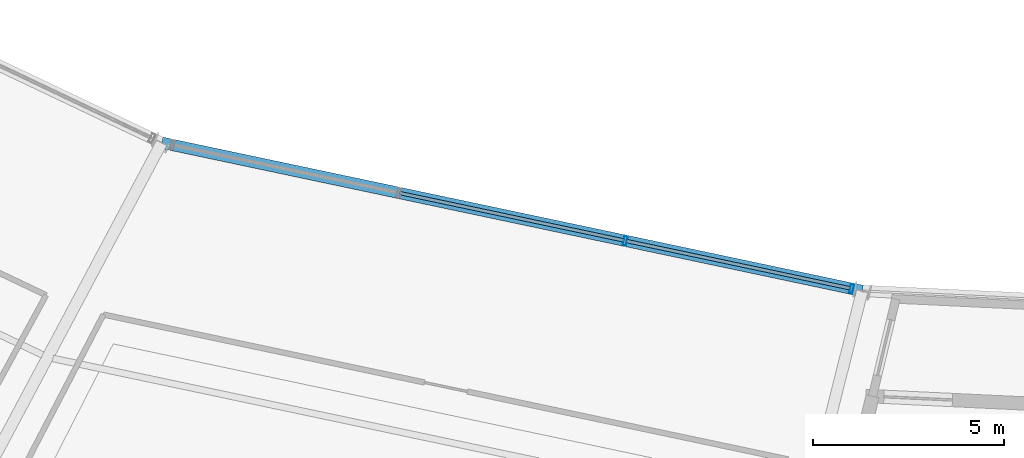
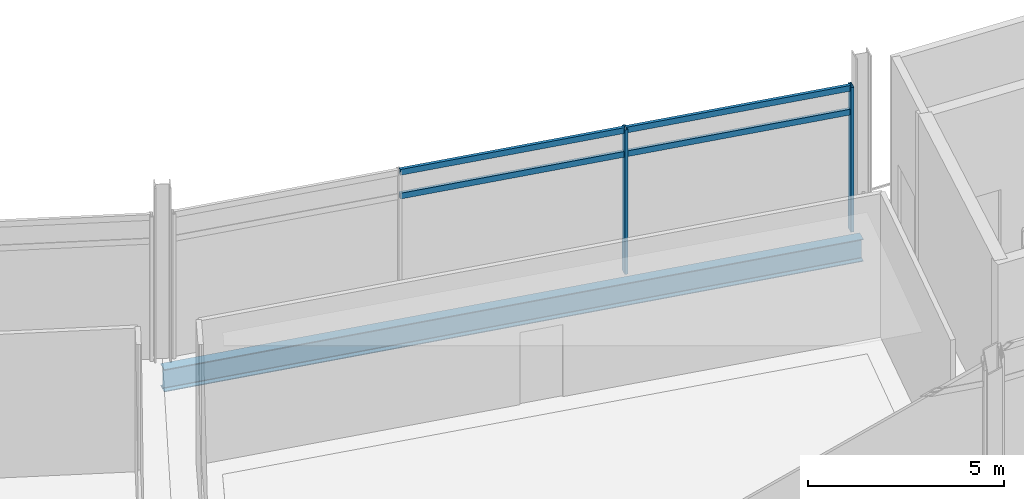
# One storey, part 30 of 86: 6 members, 1 beam, 1 element without a shape of its own.
"""IFC4 building model written with IfcOpenShell, lengths in metres."""

from ifc_helpers import new_model, si_unit, direction, frame, origin, origin_2d, place, context, subcontext, project, spatial, hollow_rectangle, i_section, extrude, material, layer, layer_set, material_profile, profile_set, type_object, element, aggregate, save


model = new_model("IFC4")

# Units and contexts
model_context = context("Model", 3, precision=1e-05, world=origin(), true_north=direction((0.0, 1.0)))
body_context = subcontext(model_context, "Body", "Model", "MODEL_VIEW")
ifc_project = project(units=[si_unit("LENGTHUNIT", "METRE"), si_unit("AREAUNIT", "SQUARE_METRE"), si_unit("VOLUMEUNIT", "CUBIC_METRE"), si_unit("PLANEANGLEUNIT", "RADIAN"), si_unit("MASSUNIT", "GRAM", prefix="KILO")], contexts=[model_context])

# Site, building, storey
site_placement = place(None, origin())
site = spatial("IfcSite", under=ifc_project, at=site_placement, CompositionType="ELEMENT")
building_placement = place(site_placement, origin())
building = spatial("IfcBuilding", under=site, at=building_placement, Name="Kazemori Nagisa Stadium", CompositionType="ELEMENT")
storey_placement = place(building_placement, frame((0.0, 0.0, 31.280029296875)))
storey = spatial("IfcBuildingStorey", under=building, at=storey_placement, Name="L06", CompositionType="ELEMENT", Elevation=31.280029296875)

# Beam
ifc_material_1 = material(Name="Steel SN490B", Category="steel")
ifc_material_profile_1 = material_profile(ifc_material_1, i_section(OverallWidth=0.300048828125, OverallDepth=0.699951171875, WebThickness=0.012939453125, FlangeThickness=0.02392578125, FilletRadius=0.01806640625, at=origin_2d()), Name="H-700x300x13x24")
ifc_profile_set_1 = profile_set([ifc_material_profile_1], Name="Steel SN490B")
beam_type = type_object("IfcBeamType", Name="Beam_BG-H700", PredefinedType="BEAM", material=ifc_profile_set_1)
beam_placement = place(storey_placement, frame((86.18798828125, 32.80078125, -0.610107421875), z_axis=(0.978345149833, -0.206980114499, 0.0), x_axis=(0.206980114499, 0.978345149833, 0.0)))
element("IfcBeam", 1, at=beam_placement, inside=storey, type_object=beam_type, Name="Ring girder BG-H700 L06 R2-20", PredefinedType="BEAM", context=body_context, shape_type="SweptSolid", body=[
    extrude(i_section(OverallWidth=0.300048828125, OverallDepth=0.699951171875, WebThickness=0.012939453125, FlangeThickness=0.02392578125, FilletRadius=0.01806640625, at=origin_2d()), origin(), (0.0, 0.0, 1.0), 18.791259765625),
])

# Curtain wall, members
ifc_material_2 = material(Name="Anodised aluminium 6063-T5", Category="aluminium")
ifc_layer = layer(ifc_material_2, 0.239990234375, Name="Anodised aluminium 6063-T5", Category="aluminium")
ifc_layer_set = layer_set([ifc_layer], Name="Anodised aluminium 6063-T5")
curtain_wall_type = type_object("IfcCurtainWallType", Name="CW_L06G_91", PredefinedType="USERDEFINED", material=ifc_layer_set)
curtain_wall_placement = place(storey_placement, origin())
curtain_wall = element("IfcCurtainWall", 2, at=curtain_wall_placement, inside=storey, type_object=curtain_wall_type, Name="Unitised curtain wall CW-L06G-91 L06", ObjectType="UNITISED CURTAIN WALL", PredefinedType="USERDEFINED")
ifc_material_3 = material(Name="Aluminium 6063-T5 anodised", Category="aluminium")
ifc_material_profile_2 = material_profile(ifc_material_3, hollow_rectangle(XDim=0.090087890625, YDim=0.239990234375, WallThickness=0.0048828125, at=origin_2d()), Name="ALU-MULL-90x240x5")
ifc_profile_set_2 = profile_set([ifc_material_profile_2], Name="Aluminium 6063-T5 anodised")
member_type_1 = type_object("IfcMemberType", Name="Mullion_M03", PredefinedType="MULLION", material=ifc_profile_set_2)
member_1_placement = place(storey_placement, frame((98.35107421875, 30.2275390625, 0.0), z_axis=(0.0, 0.0, 1.0), x_axis=(0.978344955407, -0.206981033502, 0.0)))
member_1 = element("IfcMember", 3, at=member_1_placement, type_object=member_type_1, Name="Curtain wall mullion CW-L06G-91-M3", PredefinedType="MULLION", context=body_context, shape_type="SweptSolid", body=[
    extrude(hollow_rectangle(XDim=0.090087890625, YDim=0.239990234375, WallThickness=0.0048828125, at=origin_2d()), origin(), (0.0, 0.0, 1.0), 4.510009765625),
])
member_2_placement = place(storey_placement, frame((104.29345703125, 28.97021484375, 0.0), z_axis=(0.0, 0.0, 1.0), x_axis=(0.978344955407, -0.206981033502, 0.0)))
member_2 = element("IfcMember", 4, at=member_2_placement, type_object=member_type_1, Name="Curtain wall mullion CW-L06G-91-M4", PredefinedType="MULLION", context=body_context, shape_type="SweptSolid", body=[
    extrude(hollow_rectangle(XDim=0.090087890625, YDim=0.239990234375, WallThickness=0.0048828125, at=origin_2d()), origin(), (0.0, 0.0, 1.0), 4.510009765625),
])
ifc_material_profile_3 = material_profile(ifc_material_3, hollow_rectangle(XDim=0.090087890625, YDim=0.179931640625, WallThickness=0.0048828125, at=origin_2d()), Name="ALU-TRAN-90x180x5")
ifc_profile_set_3 = profile_set([ifc_material_profile_3], Name="Aluminium 6063-T5 anodised")
member_type_2 = type_object("IfcMemberType", Name="Transom_T03", PredefinedType="USERDEFINED", material=ifc_profile_set_3)
member_3_placement = place(storey_placement, frame((92.428466796875, 31.48046875, 3.6982421875), z_axis=(0.978347969991, -0.206966783842, 0.0), x_axis=(0.206966783842, 0.978347969991, 0.0)))
member_3 = element("IfcMember", 5, at=member_3_placement, type_object=member_type_2, Name="Curtain wall transom CW-L06G-91-T2-mid", ObjectType="TRANSOM", PredefinedType="USERDEFINED", context=body_context, shape_type="SweptSolid", body=[
    extrude(hollow_rectangle(XDim=0.090087890625, YDim=0.179931640625, WallThickness=0.0048828125, at=origin_2d()), origin(), (0.0, 0.0, 1.0), 6.03369140625),
])
member_4_placement = place(storey_placement, frame((92.428466796875, 31.48046875, 4.43994140625), z_axis=(0.978347969991, -0.206966783842, 0.0), x_axis=(0.206966783842, 0.978347969991, 0.0)))
member_4 = element("IfcMember", 6, at=member_4_placement, type_object=member_type_2, Name="Curtain wall transom CW-L06G-91-T2-head", ObjectType="TRANSOM", PredefinedType="USERDEFINED", context=body_context, shape_type="SweptSolid", body=[
    extrude(hollow_rectangle(XDim=0.090087890625, YDim=0.179931640625, WallThickness=0.0048828125, at=origin_2d()), origin(), (0.0, 0.0, 1.0), 6.03369140625),
])
member_5_placement = place(storey_placement, frame((98.370849609375, 30.223388671875, 3.6982421875), z_axis=(0.978338042212, -0.207013707666, 0.0), x_axis=(0.207013707666, 0.978338042212, 0.0)))
member_5 = element("IfcMember", 7, at=member_5_placement, type_object=member_type_2, Name="Curtain wall transom CW-L06G-91-T3-mid", ObjectType="TRANSOM", PredefinedType="USERDEFINED", context=body_context, shape_type="SweptSolid", body=[
    extrude(hollow_rectangle(XDim=0.090087890625, YDim=0.179931640625, WallThickness=0.0048828125, at=origin_2d()), origin(), (0.0, 0.0, 1.0), 6.033447265625),
])
member_6_placement = place(storey_placement, frame((98.370849609375, 30.223388671875, 4.43994140625), z_axis=(0.978338042212, -0.207013707666, 0.0), x_axis=(0.207013707666, 0.978338042212, 0.0)))
member_6 = element("IfcMember", 8, at=member_6_placement, type_object=member_type_2, Name="Curtain wall transom CW-L06G-91-T3-head", ObjectType="TRANSOM", PredefinedType="USERDEFINED", context=body_context, shape_type="SweptSolid", body=[
    extrude(hollow_rectangle(XDim=0.090087890625, YDim=0.179931640625, WallThickness=0.0048828125, at=origin_2d()), origin(), (0.0, 0.0, 1.0), 6.033447265625),
])
aggregate(curtain_wall, [member_1, member_2, member_3, member_4, member_5, member_6])

save(model, "model.ifc")
